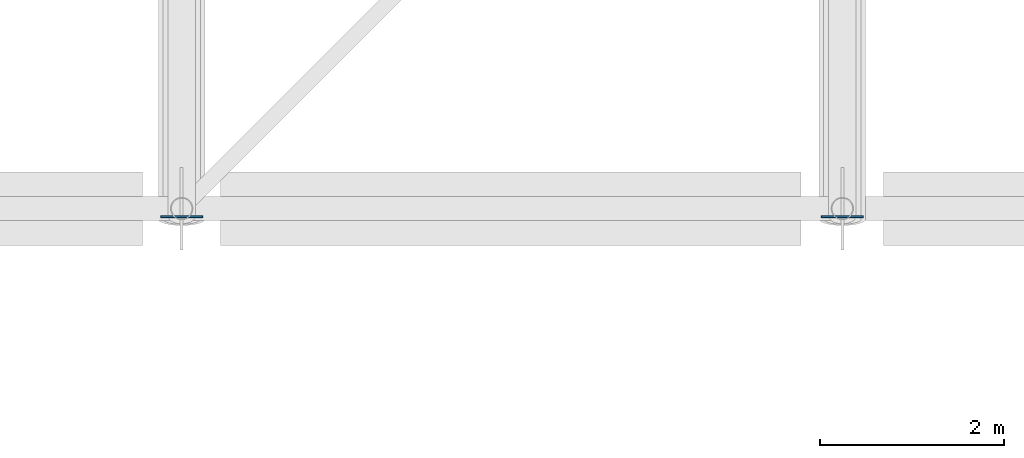
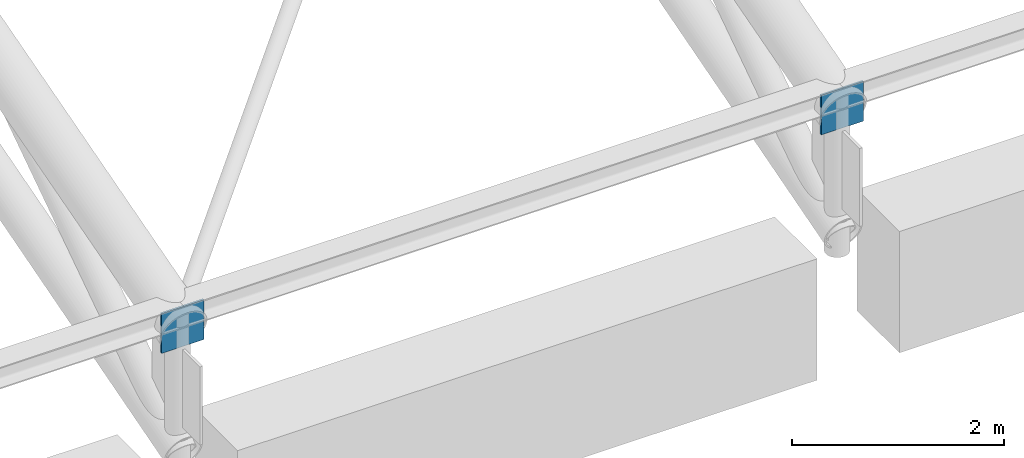
# One storey, part 125 of 193: 2 plates.
"""IFC4 building model written with IfcOpenShell, lengths in metres."""

import ifcopenshell
import ifcopenshell.guid

model = None  # the IFC model being written
_history = None  # IfcOwnerHistory: only IFC2X3 demands one
_inside = {}  # id of a spatial element -> (the spatial element, [elements in it])
_under = {}  # id of a project, library or spatial element -> (it, [spatial elements below it])
_declared = {}  # id of a project -> (the project, [libraries it declares])
_typed = {}  # id of a type object -> (the type object, [elements of that type])
_made_of = {}  # id of a material, layer set ... -> (it, [elements and type objects made of it])


def new_model(schema):
    """Start an empty IFC model of exactly this schema.

    Asked for "IFC4X3", IfcOpenShell would pick the latest addendum, in which some entities
    have other attributes; the version numbers below select the first issue.
    IFC2X3 requires an IfcOwnerHistory on every rooted entity: one is made here for all.
    """
    global model, _history
    if schema == "IFC4X3":
        model = ifcopenshell.file(schema_version=(4, 3, 0, 0))
    else:
        model = ifcopenshell.file(schema=schema)
    _inside.clear()
    _under.clear()
    _declared.clear()
    _typed.clear()
    _made_of.clear()
    _history = None
    if model.schema == "IFC2X3":
        org = make("IfcOrganization", Name="unknown")
        user = make(
            "IfcPersonAndOrganization",
            ThePerson=make("IfcPerson", FamilyName="unknown"),
            TheOrganization=org,
        )
        app = make(
            "IfcApplication",
            ApplicationDeveloper=org,
            Version="unknown",
            ApplicationFullName="unknown",
            ApplicationIdentifier="unknown",
        )
        _history = make(
            "IfcOwnerHistory",
            OwningUser=user,
            OwningApplication=app,
            ChangeAction="ADDED",
            CreationDate=0,
        )
    return model


def make(cls, **values):
    """One entity of the class cls with the attributes given. An attribute that is None is left unset."""
    return model.create_entity(
        cls, **{name: value for name, value in values.items() if value is not None}
    )


def rooted(cls, **values):
    """An entity with a GlobalId (a new one), such as an element, a storey or a relation."""
    return make(cls, GlobalId=ifcopenshell.guid.new(), OwnerHistory=_history, **values)


def si_unit(unit_type, name, prefix=None):
    """IfcSIUnit, for example si_unit("LENGTHUNIT", "METRE", prefix="MILLI")."""
    return make("IfcSIUnit", UnitType=unit_type, Prefix=prefix, Name=name)


def assignment(units):
    """IfcUnitAssignment: the units of a project."""
    return None if units is None else make("IfcUnitAssignment", Units=units)


def point(xyz):
    """IfcCartesianPoint."""
    return None if xyz is None else make("IfcCartesianPoint", Coordinates=xyz)


def direction(xyz):
    """IfcDirection."""
    return None if xyz is None else make("IfcDirection", DirectionRatios=xyz)


def frame(location, z_axis=None, x_axis=None):
    """IfcAxis2Placement3D, a coordinate frame: its origin and axes. An axis left out is left unset."""
    return make(
        "IfcAxis2Placement3D",
        Location=point(location),
        Axis=direction(z_axis),
        RefDirection=direction(x_axis),
    )


def frame_2d(location, x_axis=None):
    """IfcAxis2Placement2D, a coordinate frame in the plane: its origin and x axis."""
    return make(
        "IfcAxis2Placement2D", Location=point(location), RefDirection=direction(x_axis)
    )


def origin():
    """The frame at (0, 0, 0) with its axes left unset."""
    return frame((0.0, 0.0, 0.0))


def origin_2d():
    """The frame at (0, 0) in the plane with its x axis left unset."""
    return frame_2d((0.0, 0.0))


def place(relative_to, where):
    """IfcLocalPlacement: puts the frame where relative to a parent placement (None: the world)."""
    return make(
        "IfcLocalPlacement", PlacementRelTo=relative_to, RelativePlacement=where
    )


def context(
    kind, dimensions, precision=None, world=None, true_north=None, identifier=None
):
    """IfcGeometricRepresentationContext, for example the 3D "Model" context."""
    return make(
        "IfcGeometricRepresentationContext",
        ContextIdentifier=identifier,
        ContextType=kind,
        CoordinateSpaceDimension=dimensions,
        Precision=precision,
        WorldCoordinateSystem=world,
        TrueNorth=true_north,
    )


def subcontext(parent, identifier, kind, view, scale=None):
    """IfcGeometricRepresentationSubContext, for example "Body" below "Model"."""
    return make(
        "IfcGeometricRepresentationSubContext",
        ContextIdentifier=identifier,
        ContextType=kind,
        ParentContext=parent,
        TargetScale=scale,
        TargetView=view,
    )


def project(units=None, contexts=None):
    """IfcProject with its units and contexts."""
    return rooted(
        "IfcProject",
        Name="project",
        RepresentationContexts=contexts,
        UnitsInContext=assignment(units),
    )


def spatial(cls, under=None, at=None, **own):
    """A site, building, storey or space (cls), placed at a placement, below another one or the project."""
    s = rooted(cls, ObjectPlacement=at, **own)
    if under is not None:
        _under.setdefault(under.id(), (under, []))[1].append(s)
    return s


def profile(cls, at=None, kind="AREA", **sizes):
    """A parametric profile (cls). Its sizes go by their IFC names, for example OverallWidth=200.0."""
    return make(cls, ProfileType=kind, Position=at, **sizes)


def rectangle(**sizes):
    """IfcRectangleProfileDef."""
    return profile("IfcRectangleProfileDef", **sizes)


def extrude(swept, where, along, depth):
    """IfcExtrudedAreaSolid: the profile swept, set in the frame where, extruded along a direction by depth."""
    return make(
        "IfcExtrudedAreaSolid",
        SweptArea=swept,
        Position=where,
        ExtrudedDirection=direction(along),
        Depth=depth,
    )


def shape(context_of_items, identifier, shape_type, items):
    """IfcShapeRepresentation: the items that make up one representation, for example the "Body"."""
    return make(
        "IfcShapeRepresentation",
        ContextOfItems=context_of_items,
        RepresentationIdentifier=identifier,
        RepresentationType=shape_type,
        Items=items,
    )


def material(Name=None, Category=None):
    """IfcMaterial."""
    return make("IfcMaterial", Name=Name, Category=Category)


def layer(
    of_material, thickness, ventilated=None, Name=None, Category=None, Priority=None
):
    """IfcMaterialLayer: one layer of a wall or slab, of a material (None: an air gap)."""
    return make(
        "IfcMaterialLayer",
        Material=of_material,
        LayerThickness=thickness,
        IsVentilated=ventilated,
        Name=Name,
        Category=Category,
        Priority=Priority,
    )


def layer_set(layers, Name=None):
    """IfcMaterialLayerSet."""
    return make("IfcMaterialLayerSet", MaterialLayers=layers, LayerSetName=Name)


def made_of(thing, what):
    """Note that an element or type object is made of a material, layer set ...; save() writes the relation."""
    if what is not None:
        _made_of.setdefault(what.id(), (what, []))[1].append(thing)
    return thing


def type_object(cls, material=None, **own):
    """A type object (cls), such as IfcWallType, which elements share."""
    return made_of(rooted(cls, **own), material)


def element(
    cls,
    number,
    at=None,
    inside=None,
    cuts=None,
    type_object=None,
    material=None,
    context=None,
    identifier="Body",
    shape_type=None,
    held_by="IfcProductDefinitionShape",
    body=None,
    shapes=None,
    **own,
):
    """One element of the class cls, such as IfcWall. Its Tag is "e" and its number.

    at: its placement. inside: the storey or other place that contains it. cuts: it is an
    opening in that element (IfcRelVoidsElement). A single representation is given by context,
    identifier, shape_type and body (its items); several are given by shapes. held_by: the class
    of the entity that holds the representations. save() writes the other relations.
    """
    e = rooted(cls, Tag="e%d" % number, ObjectPlacement=at, **own)
    if body is not None:
        shapes = [shape(context, identifier, shape_type, body)]
    if shapes is not None:
        e.Representation = make(held_by, Representations=shapes)
    if inside is not None:
        _inside.setdefault(inside.id(), (inside, []))[1].append(e)
    if cuts is not None:
        rooted(
            "IfcRelVoidsElement", RelatingBuildingElement=cuts, RelatedOpeningElement=e
        )
    if type_object is not None:
        _typed.setdefault(type_object.id(), (type_object, []))[1].append(e)
    return made_of(e, material)


def aggregate(whole, parts):
    """IfcRelAggregates: a whole, such as a stair, and the parts it consists of."""
    return rooted("IfcRelAggregates", RelatingObject=whole, RelatedObjects=parts)


def save(model, path):
    """Write the relations noted so far, then the file.

    IfcRelAggregates (storeys below a building ...), IfcRelContainedInSpatialStructure (elements
    in a storey), IfcRelDefinesByType, IfcRelAssociatesMaterial and IfcRelDeclares: one each for
    every whole, place, type object, material and project.
    """
    for whole, parts in _under.values():
        aggregate(whole, parts)
    for where, things in _inside.values():
        rooted(
            "IfcRelContainedInSpatialStructure",
            RelatedElements=things,
            RelatingStructure=where,
        )
    for kind, things in _typed.values():
        rooted("IfcRelDefinesByType", RelatedObjects=things, RelatingType=kind)
    for what, things in _made_of.values():
        rooted("IfcRelAssociatesMaterial", RelatedObjects=things, RelatingMaterial=what)
    for by, libraries in _declared.values():
        rooted("IfcRelDeclares", RelatingContext=by, RelatedDefinitions=libraries)
    model.write(path)


model = new_model("IFC4")

# Units and contexts
model_context = context("Model", 3, precision=1e-05, world=origin(), true_north=direction((0.0, 1.0)))
body_context = subcontext(model_context, "Body", "Model", "MODEL_VIEW")
ifc_project = project(units=[si_unit("LENGTHUNIT", "METRE"), si_unit("AREAUNIT", "SQUARE_METRE"), si_unit("VOLUMEUNIT", "CUBIC_METRE"), si_unit("PLANEANGLEUNIT", "RADIAN"), si_unit("MASSUNIT", "GRAM", prefix="KILO")], contexts=[model_context])

# Site, building, storey
site_placement = place(None, origin())
site = spatial("IfcSite", under=ifc_project, at=site_placement, CompositionType="ELEMENT")
building_placement = place(site_placement, origin())
building = spatial("IfcBuilding", under=site, at=building_placement, Name="Cendralis Lancet Convention Centre", CompositionType="ELEMENT")
storey_placement = place(building_placement, frame((0.0, 0.0, 10.199951171875)))
storey = spatial("IfcBuildingStorey", under=building, at=storey_placement, Name="L02", CompositionType="ELEMENT", Elevation=10.199951171875)

# Plates
ifc_material = material(Name="Steel S355", Category="steel")
ifc_layer = layer(ifc_material, 0.02001953125, Name="Steel S355")
ifc_layer_set = layer_set([ifc_layer], Name="Steel S355")
plate_type = type_object("IfcPlateType", Name="STR-PL-EC20", PredefinedType="USERDEFINED", material=ifc_layer_set)
for number, where, z_axis, x_axis, name in (
    (1, (43.199951171875, 50.31005859375, 3.3701171875), (0.0, 0.0, 1.0), (1.0, 0.0, 0.0), "Truss End Cap Plate EC-20 AT-V1-06-CAPS"),
    (2, (50.39990234375, 50.31005859375, 3.3701171875), (0.0, 0.0, 1.0), (1.0, 0.0, 0.0), "Truss End Cap Plate EC-20 AT-V1-07-CAPS"),
):
    element("IfcPlate", number, at=place(storey_placement, frame(where, z_axis=z_axis, x_axis=x_axis)), inside=storey, type_object=plate_type, Name=name, ObjectType="GUSSET PLATE", PredefinedType="USERDEFINED", context=body_context, shape_type="SweptSolid", body=[
        extrude(rectangle(XDim=0.4599609375, YDim=0.02001953125, at=origin_2d()), origin(), (0.0, 0.0, 1.0), 0.4599609375),
    ])

save(model, "model.ifc")
